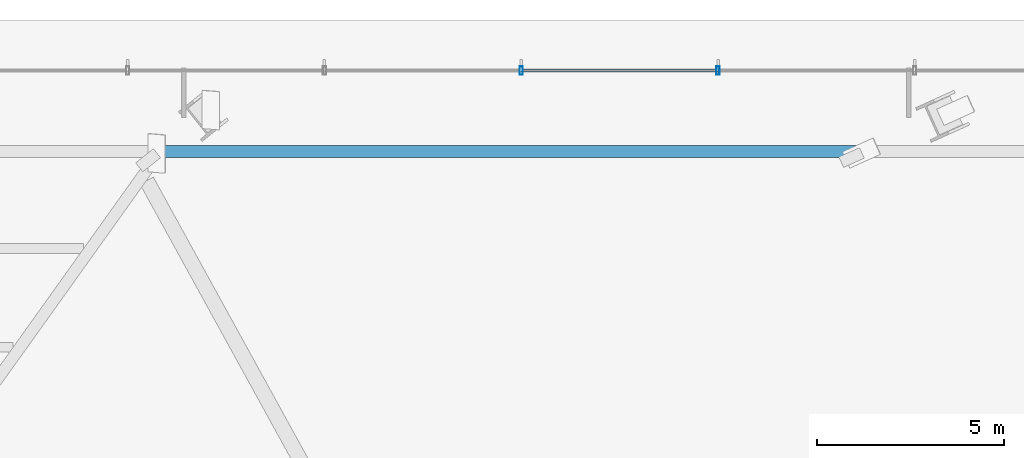
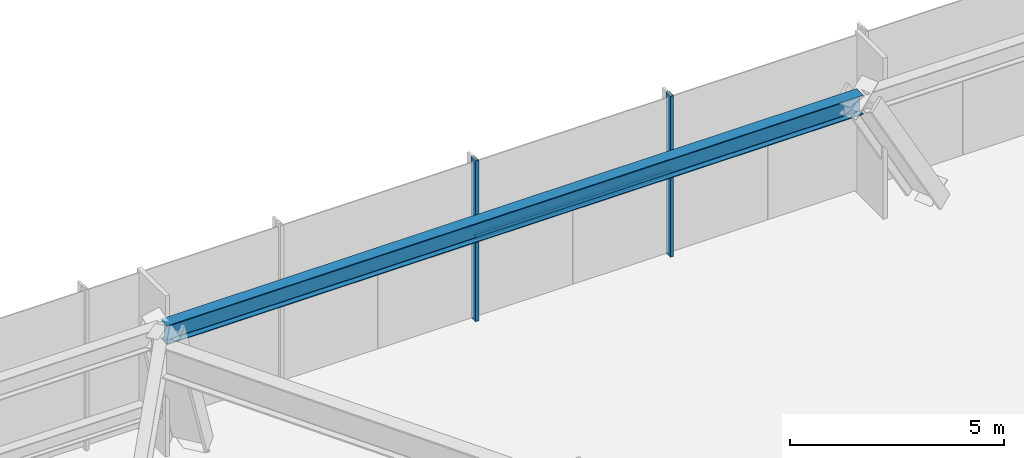
# One storey, part 17 of 31: 3 members, 1 beam, 1 element without a shape of its own.
"""IFC4 building model written with IfcOpenShell, lengths in metres."""

from ifc_helpers import new_model, si_unit, direction, frame, origin, origin_2d, place, context, subcontext, project, spatial, hollow_rectangle, i_section, extrude, source, transform, mapped, material, material_profile, profile_set, type_object, type_shapes, element, aggregate, save


model = new_model("IFC4")

# Units and contexts
model_context = context("Model", 3, precision=1e-05, world=origin(), true_north=direction((0.0, 1.0)))
body_context = subcontext(model_context, "Body", "Model", "MODEL_VIEW")
ifc_project = project(units=[si_unit("LENGTHUNIT", "METRE"), si_unit("AREAUNIT", "SQUARE_METRE"), si_unit("VOLUMEUNIT", "CUBIC_METRE"), si_unit("PLANEANGLEUNIT", "RADIAN"), si_unit("MASSUNIT", "GRAM", prefix="KILO")], contexts=[model_context])

# Site, building, storey
site_placement = place(None, origin())
site = spatial("IfcSite", under=ifc_project, at=site_placement, CompositionType="ELEMENT")
building_placement = place(site_placement, origin())
building = spatial("IfcBuilding", under=site, at=building_placement, Name="Astriad Promenade Condominiums", CompositionType="ELEMENT")
storey_placement = place(building_placement, origin())
storey = spatial("IfcBuildingStorey", under=building, at=storey_placement, Name="L00", CompositionType="ELEMENT", Elevation=0.0)

# Beam
ifc_material_1 = material(Name="Steel ASTM A992 Grade 50", Category="steel")
ifc_material_profile_1 = material_profile(ifc_material_1, i_section(OverallWidth=0.3134765625, OverallDepth=0.54638671875, WebThickness=0.013916015625, FlangeThickness=0.022216796875, FilletRadius=0.0166015625, at=origin_2d()), Name="W21X111")
ifc_profile_set_1 = profile_set([ifc_material_profile_1], Name="Steel ASTM A992 Grade 50")
beam_type = type_object("IfcBeamType", Name="STEEL SPANDREL BEAM W21X111", PredefinedType="SPANDREL", material=ifc_profile_set_1)
shared_shape_1 = source(origin(), body_context, "Body", "SweptSolid", [
    extrude(i_section(OverallWidth=0.3134765625, OverallDepth=0.54638671875, WebThickness=0.013916015625, FlangeThickness=0.022216796875, FilletRadius=0.0166015625, at=origin_2d()), origin(), (0.0, 0.0, 1.0), 18.748779296875),
])
type_shapes(beam_type, [shared_shape_1])
beam_placement = place(storey_placement, frame((59.378173828125, 34.49169921875, 4.306884765625), z_axis=(-1.0, 0.0, 0.0), x_axis=(0.0, -1.0, 0.0)))
element("IfcBeam", 1, at=beam_placement, inside=storey, type_object=beam_type, Name="Perimeter Spandrel Beam SP-N3-L00", PredefinedType="SPANDREL", context=body_context, shape_type="MappedRepresentation", body=[
    mapped(shared_shape_1, transform((0.0, 0.0, 0.0), scale=1.0)),
])

# Curtain wall, members
ifc_material_2 = material(Name="Anodised aluminium Black Dark Glass Unitised", Category="aluminium")
curtain_wall_type = type_object("IfcCurtainWallType", Name="CW-POD-DARK", PredefinedType="USERDEFINED", material=ifc_material_2)
curtain_wall_placement = place(storey_placement, origin())
curtain_wall = element("IfcCurtainWall", 2, at=curtain_wall_placement, inside=storey, type_object=curtain_wall_type, Name="CW-L00-N", ObjectType="UNITISED_CURTAIN_WALL", PredefinedType="USERDEFINED")
ifc_material_3 = material(Name="Anodised aluminium 6063-T6 Black", Category="aluminium")
ifc_material_profile_2 = material_profile(ifc_material_3, hollow_rectangle(XDim=0.0849609375, YDim=0.219970703125, WallThickness=0.0048828125, at=origin_2d()), Name="ALU-MUL-85X220")
ifc_profile_set_2 = profile_set([ifc_material_profile_2], Name="Anodised aluminium 6063-T6 Black")
member_type_1 = type_object("IfcMemberType", Name="MUL-ALU-MUL-85X220", PredefinedType="MULLION", material=ifc_profile_set_2)
shared_shape_2 = source(origin(), body_context, "Body", "SweptSolid", [
    extrude(hollow_rectangle(XDim=0.0849609375, YDim=0.219970703125, WallThickness=0.0048828125, at=origin_2d()), origin(), (0.0, 0.0, 1.0), 4.580078125),
])
type_shapes(member_type_1, [shared_shape_2])
member_1_placement = place(storey_placement, frame((50.25, 36.64990234375, 0.0), z_axis=(0.0, 0.0, 1.0), x_axis=(1.0, 0.0, 0.0)))
member_1 = element("IfcMember", 3, at=member_1_placement, type_object=member_type_1, Name="CW-L00-N-MUL-05", PredefinedType="MULLION", context=body_context, shape_type="MappedRepresentation", body=[
    mapped(shared_shape_2, transform((0.0, 0.0, 0.0), scale=1.0)),
])
member_2_placement = place(storey_placement, frame((55.5, 36.64990234375, 0.0), z_axis=(0.0, 0.0, 1.0), x_axis=(1.0, 0.0, 0.0)))
member_2 = element("IfcMember", 4, at=member_2_placement, type_object=member_type_1, Name="CW-L00-N-MUL-06", PredefinedType="MULLION", context=body_context, shape_type="MappedRepresentation", body=[
    mapped(shared_shape_2, transform((0.0, 0.0, 0.0), scale=1.0)),
])
ifc_material_profile_3 = material_profile(ifc_material_3, hollow_rectangle(XDim=0.074951171875, YDim=0.14990234375, WallThickness=0.004150390625, at=origin_2d()), Name="ALU-TRN-75X150")
ifc_profile_set_3 = profile_set([ifc_material_profile_3], Name="Anodised aluminium 6063-T6 Black")
member_type_2 = type_object("IfcMemberType", Name="TRN-ALU-TRN-75X150", PredefinedType="USERDEFINED", material=ifc_profile_set_3)
shared_shape_3 = source(origin(), body_context, "Body", "SweptSolid", [
    extrude(hollow_rectangle(XDim=0.074951171875, YDim=0.14990234375, WallThickness=0.004150390625, at=origin_2d()), origin(), (0.0, 0.0, 1.0), 5.25),
])
type_shapes(member_type_2, [shared_shape_3])
member_3_placement = place(storey_placement, frame((50.25, 36.64990234375, 2.35009765625), z_axis=(1.0, 0.0, 0.0), x_axis=(0.0, 1.0, 0.0)))
member_3 = element("IfcMember", 5, at=member_3_placement, type_object=member_type_2, Name="CW-L00-N-TRN-05-0", ObjectType="TRANSOM", PredefinedType="USERDEFINED", context=body_context, shape_type="MappedRepresentation", body=[
    mapped(shared_shape_3, transform((0.0, 0.0, 0.0), scale=1.0)),
])
aggregate(curtain_wall, [member_1, member_2, member_3])

save(model, "model.ifc")
